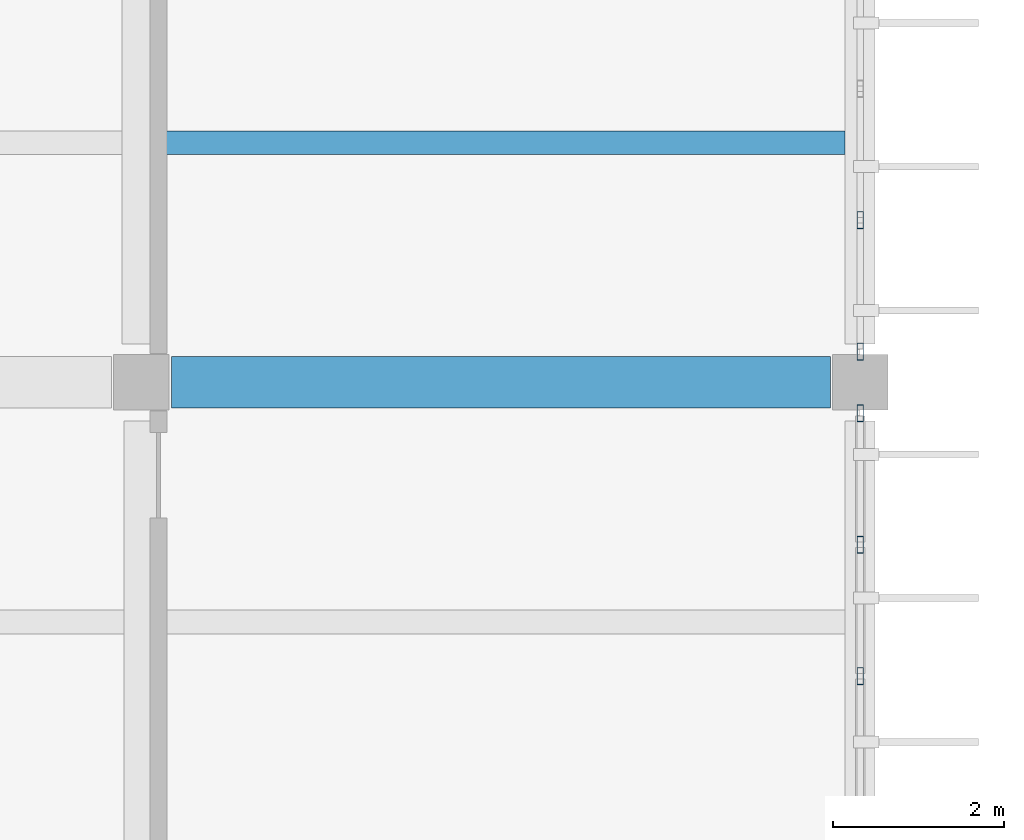
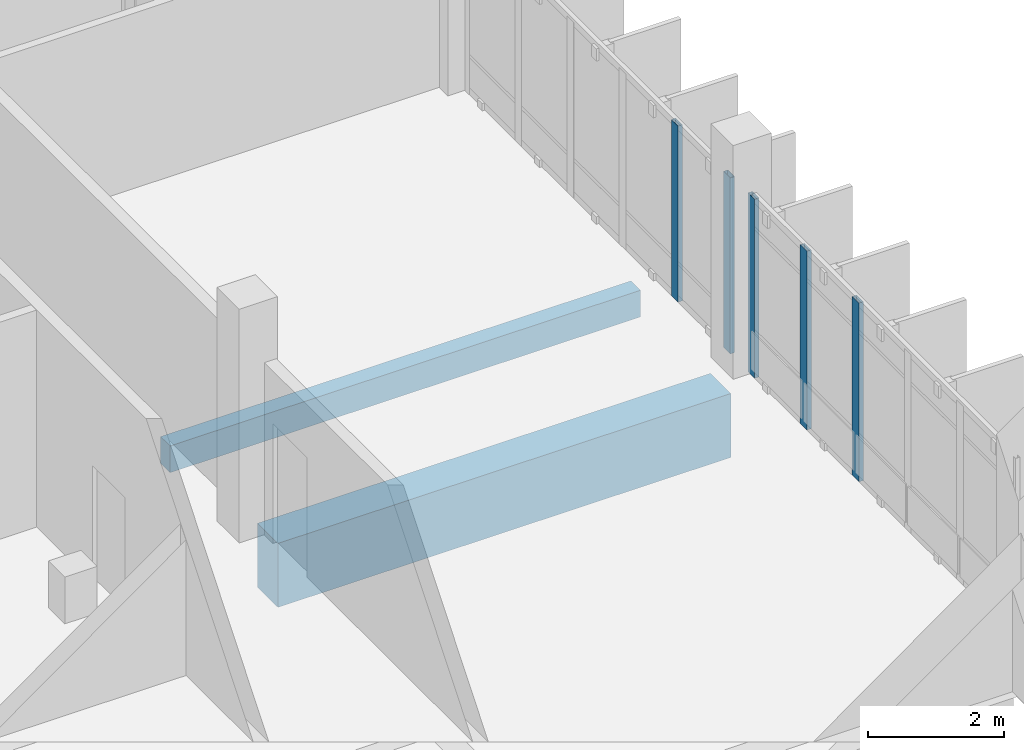
# One storey, part 42 of 101: 5 members, 2 beams, 2 elements without a shape of their own.
"""IFC4 building model written with IfcOpenShell, lengths in metres."""

from ifc_helpers import new_model, si_unit, direction, frame, origin, origin_2d, place, context, subcontext, project, spatial, rectangle, hollow_rectangle, extrude, material, layer, layer_set, material_profile, profile_set, type_object, element, aggregate, save


model = new_model("IFC4")

# Units and contexts
model_context = context("Model", 3, precision=1e-05, world=origin(), true_north=direction((0.0, 1.0)))
body_context = subcontext(model_context, "Body", "Model", "MODEL_VIEW")
ifc_project = project(units=[si_unit("LENGTHUNIT", "METRE"), si_unit("AREAUNIT", "SQUARE_METRE"), si_unit("VOLUMEUNIT", "CUBIC_METRE"), si_unit("PLANEANGLEUNIT", "RADIAN"), si_unit("MASSUNIT", "GRAM", prefix="KILO")], contexts=[model_context])

# Site, building, storey
site_placement = place(None, origin())
site = spatial("IfcSite", under=ifc_project, at=site_placement, CompositionType="ELEMENT")
building_placement = place(site_placement, origin())
building = spatial("IfcBuilding", under=site, at=building_placement, Name="Vireocrest Preparatory School", CompositionType="ELEMENT")
storey_placement = place(building_placement, frame((0.0, 0.0, 4.800048828125)))
storey = spatial("IfcBuildingStorey", under=building, at=storey_placement, Name="L01", CompositionType="ELEMENT", Elevation=4.800048828125)

# Curtain wall, members
ifc_material_1 = material(Name="Thermally broken aluminium EN AW-6063-T6", Category="aluminium")
ifc_layer = layer(ifc_material_1, 0.179931640625)
ifc_layer_set = layer_set([ifc_layer], Name="Thermally broken aluminium EN AW-6063-T6")
curtain_wall_type = type_object("IfcCurtainWallType", Name="Teaching Fin Curtain Wall 8400x4200", PredefinedType="USERDEFINED", material=ifc_layer_set)
curtain_wall_1_placement = place(storey_placement, origin())
curtain_wall_1 = element("IfcCurtainWall", 1, at=curtain_wall_1_placement, inside=storey, type_object=curtain_wall_type, Name="Curtain Wall CW03 CW_L01_CW03_1092_0525_048", ObjectType="CURTAIN WALL", PredefinedType="USERDEFINED")
ifc_material_profile_1 = material_profile(ifc_material_1, hollow_rectangle(XDim=0.074951171875, YDim=0.199951171875, WallThickness=0.0048828125, at=origin_2d()), Name="ALU 75x200x5")
ifc_profile_set_1 = profile_set([ifc_material_profile_1], Name="Thermally broken aluminium EN AW-6063-T6")
member_type = type_object("IfcMemberType", Name="CW Mullion 75x200x5", PredefinedType="MULLION", material=ifc_profile_set_1)
member_1_placement = place(storey_placement, frame((109.199951171875, 57.16796875, 0.0), z_axis=(0.0, 0.0, 1.0), x_axis=(1.0, 0.0, 0.0)))
member_1 = element("IfcMember", 2, at=member_1_placement, type_object=member_type, Name="CW Mullion ML3 CW_L01_CW03_1092_0525_048-4", PredefinedType="MULLION", context=body_context, shape_type="SweptSolid", body=[
    extrude(hollow_rectangle(XDim=0.074951171875, YDim=0.199951171875, WallThickness=0.0048828125, at=origin_2d()), origin(), (0.0, 0.0, 1.0), 3.21484375),
])
member_2_placement = place(storey_placement, frame((109.199951171875, 58.7041015625, 0.0), z_axis=(0.0, 0.0, 1.0), x_axis=(1.0, 0.0, 0.0)))
member_2 = element("IfcMember", 3, at=member_2_placement, type_object=member_type, Name="CW Mullion ML3 CW_L01_CW03_1092_0525_048-5", PredefinedType="MULLION", context=body_context, shape_type="SweptSolid", body=[
    extrude(hollow_rectangle(XDim=0.074951171875, YDim=0.199951171875, WallThickness=0.0048828125, at=origin_2d()), origin(), (0.0, 0.0, 1.0), 3.21484375),
])
member_3_placement = place(storey_placement, frame((109.199951171875, 60.239990234375, 0.0), z_axis=(0.0, 0.0, 1.0), x_axis=(1.0, 0.0, 0.0)))
member_3 = element("IfcMember", 4, at=member_3_placement, type_object=member_type, Name="CW Mullion ML3 CW_L01_CW03_1092_0525_048-6", PredefinedType="MULLION", context=body_context, shape_type="SweptSolid", body=[
    extrude(hollow_rectangle(XDim=0.074951171875, YDim=0.199951171875, WallThickness=0.0048828125, at=origin_2d()), origin(), (0.0, 0.0, 1.0), 3.21484375),
])
aggregate(curtain_wall_1, [member_1, member_2, member_3])

curtain_wall_2_placement = place(storey_placement, origin())
curtain_wall_2 = element("IfcCurtainWall", 5, at=curtain_wall_2_placement, inside=storey, type_object=curtain_wall_type, Name="Curtain Wall CW03 CW_L01_CW03_1092_0609_048", ObjectType="CURTAIN WALL", PredefinedType="USERDEFINED")
member_4_placement = place(storey_placement, frame((109.199951171875, 60.9599609375, 0.0), z_axis=(0.0, 0.0, 1.0), x_axis=(1.0, 0.0, 0.0)))
member_4 = element("IfcMember", 6, at=member_4_placement, type_object=member_type, Name="CW Mullion ML3 CW_L01_CW03_1092_0609_048-1", PredefinedType="MULLION", context=body_context, shape_type="SweptSolid", body=[
    extrude(hollow_rectangle(XDim=0.074951171875, YDim=0.199951171875, WallThickness=0.0048828125, at=origin_2d()), origin(), (0.0, 0.0, 1.0), 3.1650390625),
])
member_5_placement = place(storey_placement, frame((109.199951171875, 62.49609375, 0.0), z_axis=(0.0, 0.0, 1.0), x_axis=(1.0, 0.0, 0.0)))
member_5 = element("IfcMember", 7, at=member_5_placement, type_object=member_type, Name="CW Mullion ML3 CW_L01_CW03_1092_0609_048-2", PredefinedType="MULLION", context=body_context, shape_type="SweptSolid", body=[
    extrude(hollow_rectangle(XDim=0.074951171875, YDim=0.199951171875, WallThickness=0.0048828125, at=origin_2d()), origin(), (0.0, 0.0, 1.0), 3.1650390625),
])
aggregate(curtain_wall_2, [member_4, member_5])

# Beams
ifc_material_2 = material(Name="Concrete 40 MPa", Category="concrete")
ifc_material_profile_2 = material_profile(ifc_material_2, rectangle(XDim=0.60009765625, YDim=1.14990234375, at=origin_2d()), Name="RC 600x1150")
ifc_profile_set_2 = profile_set([ifc_material_profile_2], Name="Concrete 40 MPa")
beam_type_1 = type_object("IfcBeamType", Name="RC Heavy Transfer Girder 600x1150", PredefinedType="BEAM", material=ifc_profile_set_2)
beam_1_placement = place(storey_placement, frame((101.14990234375, 60.60009765625, -0.8349609375), z_axis=(1.0, 0.0, 0.0), x_axis=(0.0, 1.0, 0.0)))
element("IfcBeam", 8, at=beam_1_placement, inside=storey, type_object=beam_type_1, Name="Primary Girder B20 L01-0324", PredefinedType="BEAM", context=body_context, shape_type="SweptSolid", body=[
    extrude(rectangle(XDim=0.60009765625, YDim=1.14990234375, at=origin_2d()), origin(), (0.0, 0.0, 1.0), 7.7001953125),
])
ifc_material_profile_3 = material_profile(ifc_material_2, rectangle(XDim=0.280029296875, YDim=0.47998046875, at=origin_2d()), Name="RC 280x480")
ifc_profile_set_3 = profile_set([ifc_material_profile_3], Name="Concrete 40 MPa")
beam_type_2 = type_object("IfcBeamType", Name="RC Secondary Lab Joist 280x480", PredefinedType="JOIST", material=ifc_profile_set_3)
beam_2_placement = place(storey_placement, frame((101.02490234375, 63.39990234375, -0.5), z_axis=(1.0, 0.0, 0.0), x_axis=(0.0, 1.0, 0.0)))
element("IfcBeam", 9, at=beam_2_placement, inside=storey, type_object=beam_type_2, Name="Secondary Joist J02 L01-0617", PredefinedType="JOIST", context=body_context, shape_type="SweptSolid", body=[
    extrude(rectangle(XDim=0.280029296875, YDim=0.47998046875, at=origin_2d()), origin(), (0.0, 0.0, 1.0), 8.0),
])

save(model, "model.ifc")
